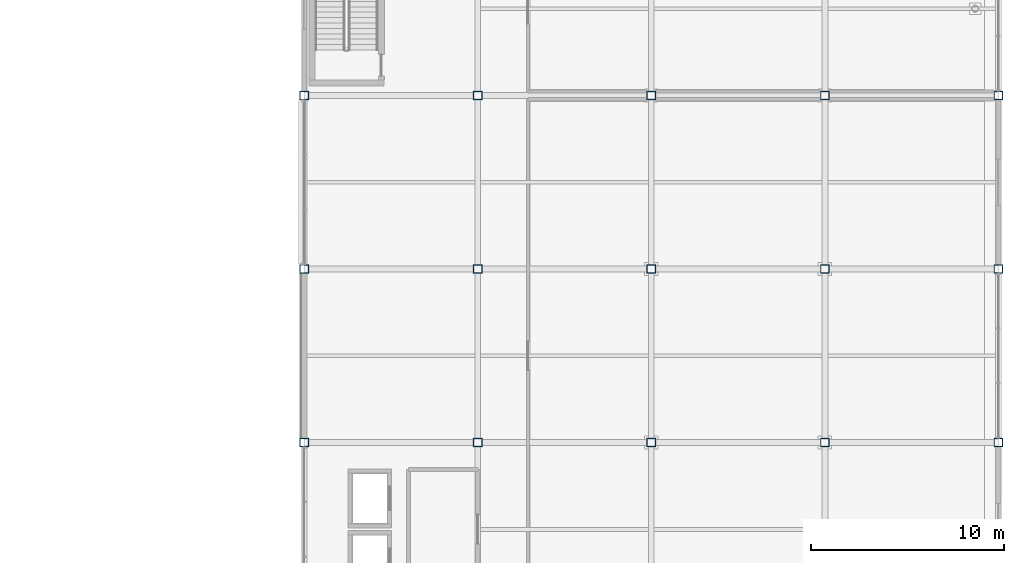
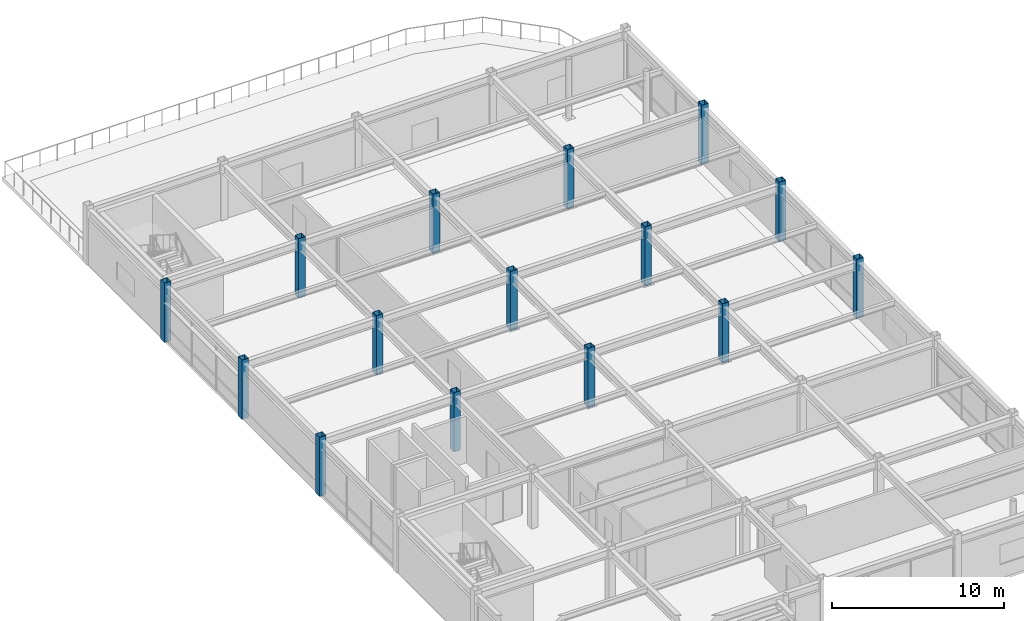
# One storey, part 21 of 108: 15 columns.
"""IFC4 building model written with IfcOpenShell, lengths in metres."""

from ifc_helpers import new_model, si_unit, direction, frame, origin, origin_2d, place, context, subcontext, project, spatial, hollow_rectangle, extrude, material, material_profile, profile_set, type_object, element, save


model = new_model("IFC4")

# Units and contexts
model_context = context("Model", 3, precision=1e-05, world=origin(), true_north=direction((0.0, 1.0)))
body_context = subcontext(model_context, "Body", "Model", "MODEL_VIEW")
ifc_project = project(units=[si_unit("LENGTHUNIT", "METRE"), si_unit("AREAUNIT", "SQUARE_METRE"), si_unit("VOLUMEUNIT", "CUBIC_METRE"), si_unit("PLANEANGLEUNIT", "RADIAN"), si_unit("MASSUNIT", "GRAM", prefix="KILO")], contexts=[model_context])

# Site, building, storey
site_placement = place(None, origin())
site = spatial("IfcSite", under=ifc_project, at=site_placement, CompositionType="ELEMENT")
building_placement = place(site_placement, origin())
building = spatial("IfcBuilding", under=site, at=building_placement, Name="Suzunagisa Mobility Hub", CompositionType="ELEMENT")
storey_placement = place(building_placement, frame((0.0, 0.0, 9.300048828125)))
storey = spatial("IfcBuildingStorey", under=building, at=storey_placement, Name="L02", CompositionType="ELEMENT", Elevation=9.300048828125)

# Columns
ifc_material = material(Name="Steel SN490B", Category="steel")
ifc_material_profile = material_profile(ifc_material, hollow_rectangle(XDim=0.449951171875, YDim=0.449951171875, WallThickness=0.02197265625, at=origin_2d()), Name="BCR-450x450x22")
ifc_profile_set = profile_set([ifc_material_profile], Name="Steel SN490B")
column_type = type_object("IfcColumnType", Name="Steel Column CL-17 BCR-450x450x22", PredefinedType="COLUMN", material=ifc_profile_set)
for number, where, z_axis, x_axis, name in (
    (1, (144.0, 71.0, 0.0), (0.0, 0.0, 1.0), (1.0, 0.0, 0.0), "L02 Column 259"),
    (2, (144.0, 80.0, 0.0), (0.0, 0.0, 1.0), (1.0, 0.0, 0.0), "L02 Column 260"),
    (3, (144.0, 89.0, 0.0), (0.0, 0.0, 1.0), (1.0, 0.0, 0.0), "L02 Column 261"),
    (4, (153.0, 71.0, 0.0), (0.0, 0.0, 1.0), (1.0, 0.0, 0.0), "L02 Column 272"),
    (5, (153.0, 80.0, 0.0), (0.0, 0.0, 1.0), (1.0, 0.0, 0.0), "L02 Column 273"),
    (6, (153.0, 89.0, 0.0), (0.0, 0.0, 1.0), (1.0, 0.0, 0.0), "L02 Column 274"),
    (7, (162.0, 71.0, 0.0), (0.0, 0.0, 1.0), (1.0, 0.0, 0.0), "L02 Column 291"),
    (8, (162.0, 80.0, 0.0), (0.0, 0.0, 1.0), (1.0, 0.0, 0.0), "L02 Column 292"),
    (9, (162.0, 89.0, 0.0), (0.0, 0.0, 1.0), (1.0, 0.0, 0.0), "L02 Column 293"),
    (10, (171.0, 71.0, 0.0), (0.0, 0.0, 1.0), (1.0, 0.0, 0.0), "L02 Column 304"),
    (11, (171.0, 80.0, 0.0), (0.0, 0.0, 1.0), (1.0, 0.0, 0.0), "L02 Column 305"),
    (12, (171.0, 89.0, 0.0), (0.0, 0.0, 1.0), (1.0, 0.0, 0.0), "L02 Column 306"),
    (13, (180.0, 71.0, 0.0), (0.0, 0.0, 1.0), (1.0, 0.0, 0.0), "L02 Column 328"),
    (14, (180.0, 80.0, 0.0), (0.0, 0.0, 1.0), (1.0, 0.0, 0.0), "L02 Column 329"),
    (15, (180.0, 89.0, 0.0), (0.0, 0.0, 1.0), (1.0, 0.0, 0.0), "L02 Column 330"),
):
    element("IfcColumn", number, at=place(storey_placement, frame(where, z_axis=z_axis, x_axis=x_axis)), inside=storey, type_object=column_type, Name=name, PredefinedType="COLUMN", context=body_context, shape_type="SweptSolid", body=[
        extrude(hollow_rectangle(XDim=0.449951171875, YDim=0.449951171875, WallThickness=0.02197265625, at=origin_2d()), origin(), (0.0, 0.0, 1.0), 4.199951171875),
    ])

save(model, "model.ifc")
